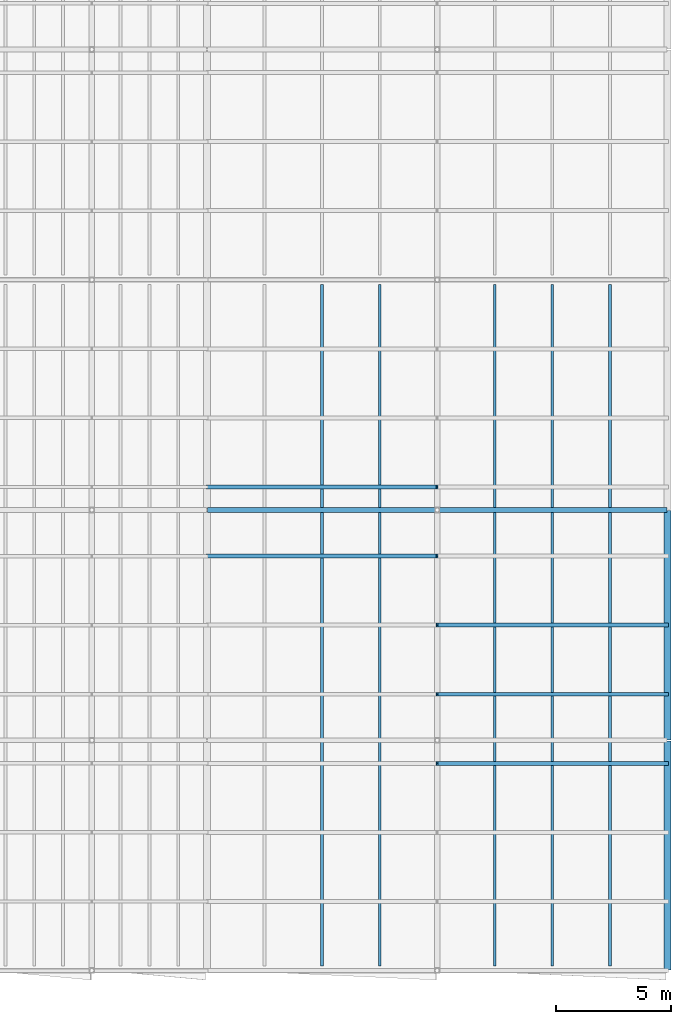
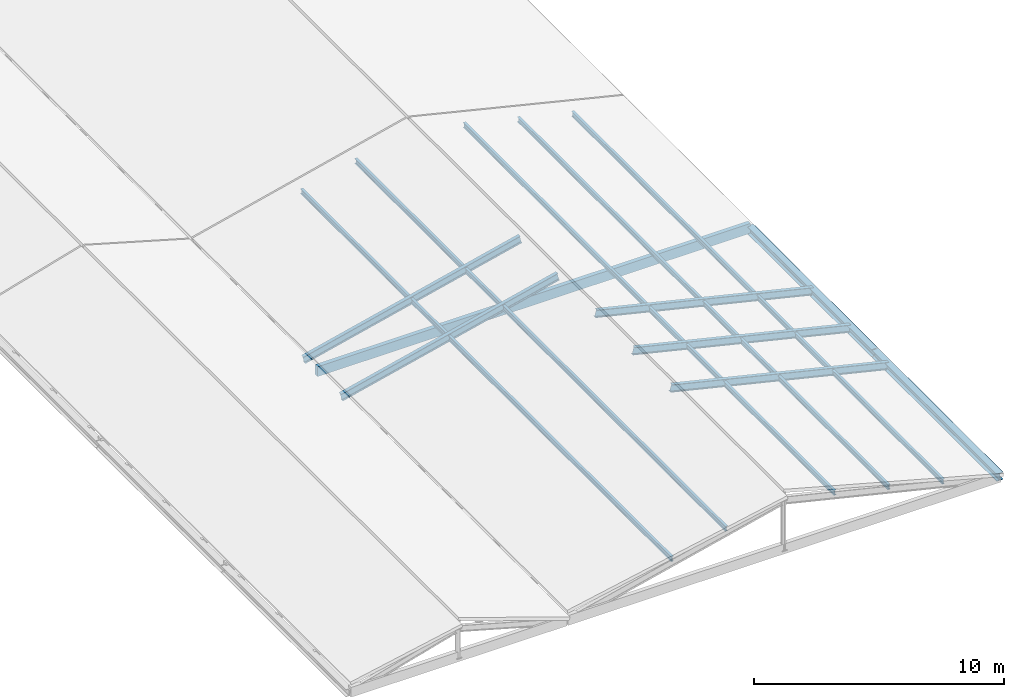
# One storey, part 61 of 90: 10 members, 3 beams.
"""IFC4 building model written with IfcOpenShell, lengths in metres."""

from ifc_helpers import new_model, si_unit, direction, frame, origin, origin_2d, place, context, subcontext, project, spatial, rectangle, i_section, extrude, material, material_profile, profile_set, type_object, element, save


model = new_model("IFC4")

# Units and contexts
model_context = context("Model", 3, precision=1e-05, world=origin(), true_north=direction((0.0, 1.0)))
body_context = subcontext(model_context, "Body", "Model", "MODEL_VIEW")
ifc_project = project(units=[si_unit("LENGTHUNIT", "METRE"), si_unit("AREAUNIT", "SQUARE_METRE"), si_unit("VOLUMEUNIT", "CUBIC_METRE"), si_unit("PLANEANGLEUNIT", "RADIAN"), si_unit("MASSUNIT", "GRAM", prefix="KILO"), si_unit("THERMODYNAMICTEMPERATUREUNIT", "KELVIN"), si_unit("POWERUNIT", "WATT")], contexts=[model_context])

# Site, building, storey
site_placement = place(None, origin())
site = spatial("IfcSite", under=ifc_project, at=site_placement, CompositionType="ELEMENT")
building_placement = place(site_placement, origin())
building = spatial("IfcBuilding", under=site, at=building_placement, Name="Korenveer Ferry Terminal", CompositionType="ELEMENT")
storey_placement = place(building_placement, frame((0.0, 0.0, 22.199951171875)))
storey = spatial("IfcBuildingStorey", under=building, at=storey_placement, Name="RF", CompositionType="ELEMENT", Elevation=22.199951171875)

# Beams
ifc_material_1 = material(Name="Steel S355", Category="steel")
ifc_material_profile_1 = material_profile(ifc_material_1, i_section(OverallWidth=0.300048828125, OverallDepth=0.360107421875, WebThickness=0.012451171875, FlangeThickness=0.0224609375, FilletRadius=0.027099609375, at=origin_2d()), Name="HEB 360")
ifc_profile_set_1 = profile_set([ifc_material_profile_1], Name="Steel S355")
beam_type_1 = type_object("IfcBeamType", Name="STR-BM-HEB360", PredefinedType="BEAM", material=ifc_profile_set_1)
for number, where, z_axis, x_axis, name in (
    (1, (176.0, 20.02001953125, -7.619873046875), (0.0, 1.0, 0.0), (-1.0, 0.0, 0.0), "Wing eave beam EAST 144"),
    (2, (176.0, 30.02001953125, -7.619873046875), (0.0, 1.0, 0.0), (-1.0, 0.0, 0.0), "Wing eave beam EAST 145"),
):
    element("IfcBeam", number, at=place(storey_placement, frame(where, z_axis=z_axis, x_axis=x_axis)), inside=storey, type_object=beam_type_1, Name=name, PredefinedType="BEAM", context=body_context, shape_type="SweptSolid", body=[
        extrude(i_section(OverallWidth=0.300048828125, OverallDepth=0.360107421875, WebThickness=0.012451171875, FlangeThickness=0.0224609375, FilletRadius=0.027099609375, at=origin_2d()), origin(), (0.0, 0.0, 1.0), 9.9599609375),
    ])

# Members
ifc_material_profile_2 = material_profile(ifc_material_1, i_section(OverallWidth=0.1201171875, OverallDepth=0.239990234375, WebThickness=0.006103515625, FlangeThickness=0.009765625, FilletRadius=0.014892578125, at=origin_2d()), Name="IPE 240")
ifc_profile_set_2 = profile_set([ifc_material_profile_2], Name="Steel S355")
member_type_1 = type_object("IfcMemberType", Name="STR-PUR-IPE240", PredefinedType="PURLIN", material=ifc_profile_set_2)
for number, where, z_axis, x_axis, name in (
    (3, (161.0, 20.199951171875, -6.47998046875), (0.0, 1.0, 0.0), (-1.0, 0.0, 0.0), "Pitched wing roof steel purlin 255"),
    (4, (163.5, 20.199951171875, -5.8798828125), (0.0, 1.0, 0.0), (-1.0, 0.0, 0.0), "Pitched wing roof steel purlin 257"),
    (5, (168.5, 20.199951171875, -5.8798828125), (0.0, 1.0, 0.0), (-1.0, 0.0, 0.0), "Pitched wing roof steel purlin 259"),
    (6, (171.0, 20.199951171875, -6.47998046875), (0.0, 1.0, 0.0), (-1.0, 0.0, 0.0), "Pitched wing roof steel purlin 261"),
    (7, (173.5, 20.199951171875, -7.079833984375), (0.0, 1.0, 0.0), (-1.0, 0.0, 0.0), "Pitched wing roof steel purlin 263"),
):
    element("IfcMember", number, at=place(storey_placement, frame(where, z_axis=z_axis, x_axis=x_axis)), inside=storey, type_object=member_type_1, Name=name, PredefinedType="PURLIN", context=body_context, shape_type="SweptSolid", body=[
        extrude(i_section(OverallWidth=0.1201171875, OverallDepth=0.239990234375, WebThickness=0.006103515625, FlangeThickness=0.009765625, FilletRadius=0.014892578125, at=origin_2d()), origin(), (0.0, 0.0, 1.0), 29.60009765625),
    ])
ifc_material_profile_3 = material_profile(ifc_material_1, i_section(OverallWidth=0.169921875, OverallDepth=0.360107421875, WebThickness=0.008056640625, FlangeThickness=0.0126953125, FilletRadius=0.01806640625, at=origin_2d()), Name="IPE 360")
ifc_profile_set_3 = profile_set([ifc_material_profile_3], Name="Steel S355")
member_type_2 = type_object("IfcMemberType", Name="STR-RAF-IPE360", PredefinedType="RAFTER", material=ifc_profile_set_3)
for number, where, z_axis, x_axis, name in (
    (8, (166.0, 29.0, -5.219970703125), (0.972389456854, 0.0, -0.233363973654), (0.0, 1.0, 0.0), "Pitched roof rafter 8"),
    (9, (166.0, 32.0, -5.219970703125), (0.972389456854, 0.0, -0.233363973654), (0.0, 1.0, 0.0), "Pitched roof rafter 10"),
    (10, (166.0, 35.0, -5.219970703125), (0.972389456854, 0.0, -0.233363973654), (0.0, 1.0, 0.0), "Pitched roof rafter 12"),
    (11, (156.0, 38.0, -7.619873046875), (0.972389456854, 0.0, 0.233363973654), (0.0, 1.0, 0.0), "Pitched roof rafter 13"),
    (12, (156.0, 41.0, -7.619873046875), (0.972389456854, 0.0, 0.233363973654), (0.0, 1.0, 0.0), "Pitched roof rafter 15"),
):
    element("IfcMember", number, at=place(storey_placement, frame(where, z_axis=z_axis, x_axis=x_axis)), inside=storey, type_object=member_type_2, Name=name, PredefinedType="RAFTER", context=body_context, shape_type="SweptSolid", body=[
        extrude(i_section(OverallWidth=0.169921875, OverallDepth=0.360107421875, WebThickness=0.008056640625, FlangeThickness=0.0126953125, FilletRadius=0.01806640625, at=origin_2d()), origin(), (0.0, 0.0, 1.0), 10.283935546875),
    ])

# Beam
ifc_material_2 = material(Name="Glulam GL28h", Category="wood")
ifc_material_profile_4 = material_profile(ifc_material_2, rectangle(XDim=0.199951171875, YDim=0.47998046875, at=origin_2d()), Name="GL 200x480")
ifc_profile_set_4 = profile_set([ifc_material_profile_4], Name="Glulam GL28h")
beam_type_2 = type_object("IfcBeamType", Name="STR-RFG-GL200", PredefinedType="USERDEFINED", material=ifc_profile_set_4)
beam_placement = place(storey_placement, frame((156.02001953125, 40.0, -7.56005859375), z_axis=(1.0, 0.0, 0.0), x_axis=(0.0, 1.0, 0.0)))
element("IfcBeam", 13, at=beam_placement, inside=storey, type_object=beam_type_2, Name="Wing roof collar tie EAST 153", ObjectType="ROOF GIRDER", PredefinedType="USERDEFINED", context=body_context, shape_type="SweptSolid", body=[
    extrude(rectangle(XDim=0.199951171875, YDim=0.47998046875, at=origin_2d()), origin(), (0.0, 0.0, 1.0), 19.9599609375),
])

save(model, "model.ifc")
